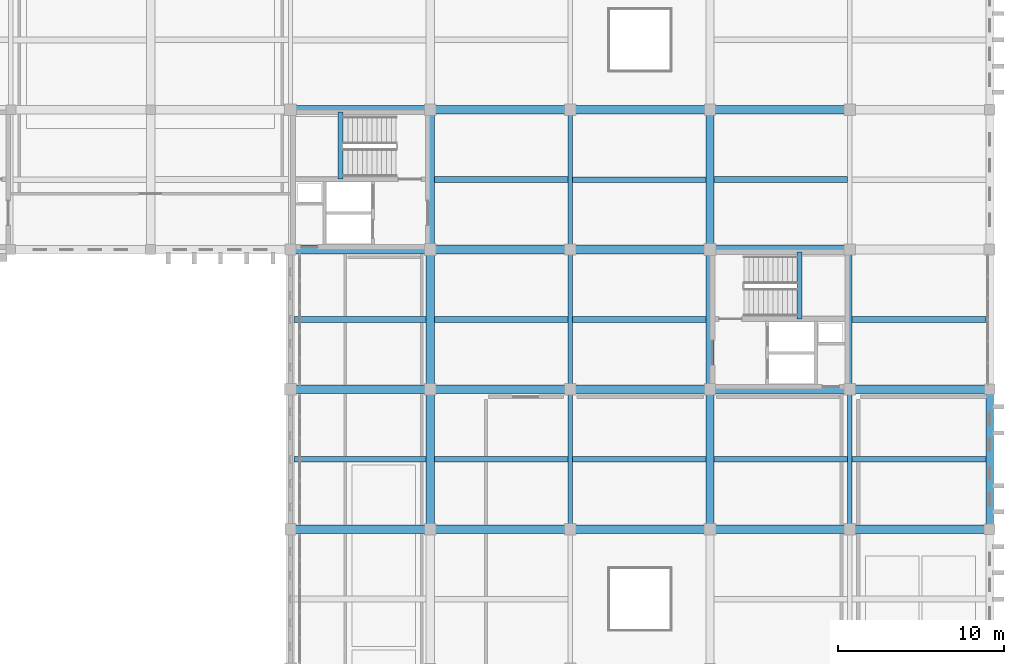
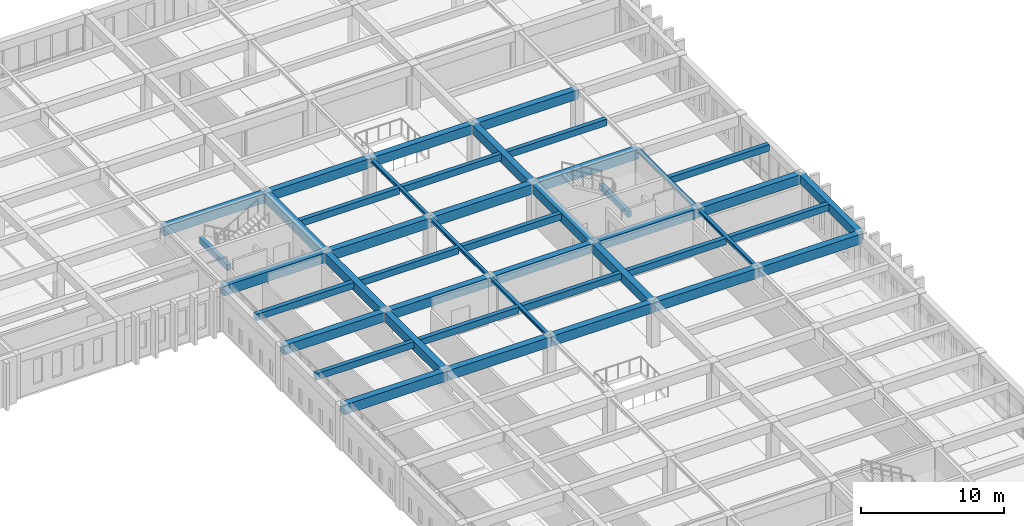
# One storey, part 49 of 110: 44 beams.
"""IFC4 building model written with IfcOpenShell, lengths in metres."""

from ifc_helpers import new_model, si_unit, direction, frame, origin, origin_2d, place, context, subcontext, project, spatial, rectangle, i_section, extrude, material, material_profile, profile_set, type_object, element, save


model = new_model("IFC4")

# Units and contexts
model_context = context("Model", 3, precision=1e-05, world=origin(), true_north=direction((0.0, 1.0)))
body_context = subcontext(model_context, "Body", "Model", "MODEL_VIEW")
ifc_project = project(units=[si_unit("LENGTHUNIT", "METRE"), si_unit("AREAUNIT", "SQUARE_METRE"), si_unit("VOLUMEUNIT", "CUBIC_METRE"), si_unit("PLANEANGLEUNIT", "RADIAN"), si_unit("MASSUNIT", "GRAM", prefix="KILO")], contexts=[model_context])

# Site, building, storey
site_placement = place(None, origin())
site = spatial("IfcSite", under=ifc_project, at=site_placement, CompositionType="ELEMENT")
building_placement = place(site_placement, origin())
building = spatial("IfcBuilding", under=site, at=building_placement, Name="Kveldsbrygga Polytechnic", CompositionType="ELEMENT")
storey_placement = place(building_placement, frame((0.0, 0.0, 9.860107421875)))
storey = spatial("IfcBuildingStorey", under=building, at=storey_placement, Name="L02", CompositionType="ELEMENT", Elevation=9.860107421875)

# Beams
ifc_material_1 = material(Name="Concrete C35/45", Category="concrete")
ifc_material_profile_1 = material_profile(ifc_material_1, rectangle(XDim=0.449951171875, YDim=0.75, at=origin_2d()), Name="RC 450x750")
ifc_profile_set_1 = profile_set([ifc_material_profile_1], Name="Concrete C35/45")
beam_type_1 = type_object("IfcBeamType", Name="BM-RC-450x750", PredefinedType="BEAM", material=ifc_profile_set_1)
beam_1_placement = place(storey_placement, frame((168.0, 67.199951171875, 3.375), z_axis=(0.0, 1.0, 0.0), x_axis=(-1.0, 0.0, 0.0)))
element("IfcBeam", 1, at=beam_1_placement, inside=storey, type_object=beam_type_1, Name="Primary Beam BMY-L02-20-08to09", PredefinedType="BEAM", context=body_context, shape_type="SweptSolid", body=[
    extrude(rectangle(XDim=0.449951171875, YDim=0.75, at=origin_2d()), origin(), (0.0, 0.0, 1.0), 8.400146484375),
])
ifc_material_profile_2 = material_profile(ifc_material_1, rectangle(XDim=0.5, YDim=0.800048828125, at=origin_2d()), Name="RC 500x800")
ifc_profile_set_2 = profile_set([ifc_material_profile_2], Name="Concrete C35/45")
beam_type_2 = type_object("IfcBeamType", Name="BM-RC-500x800", PredefinedType="BEAM", material=ifc_profile_set_2)
beam_2_placement = place(storey_placement, frame((126.0, 75.60009765625, 3.349853515625), z_axis=(1.0, 0.0, 0.0), x_axis=(0.0, 1.0, 0.0)))
element("IfcBeam", 2, at=beam_2_placement, inside=storey, type_object=beam_type_2, Name="Primary Beam BMX-L02-15to16-09", PredefinedType="BEAM", context=body_context, shape_type="SweptSolid", body=[
    extrude(rectangle(XDim=0.5, YDim=0.800048828125, at=origin_2d()), origin(), (0.0, 0.0, 1.0), 8.39990234375),
])
beam_3_placement = place(storey_placement, frame((134.39990234375, 75.60009765625, 3.349853515625), z_axis=(1.0, 0.0, 0.0), x_axis=(0.0, 1.0, 0.0)))
element("IfcBeam", 3, at=beam_3_placement, inside=storey, type_object=beam_type_2, Name="Primary Beam BMX-L02-16to17-09", PredefinedType="BEAM", context=body_context, shape_type="SweptSolid", body=[
    extrude(rectangle(XDim=0.5, YDim=0.800048828125, at=origin_2d()), origin(), (0.0, 0.0, 1.0), 8.400146484375),
])
beam_4_placement = place(storey_placement, frame((142.800048828125, 75.60009765625, 3.349853515625), z_axis=(1.0, 0.0, 0.0), x_axis=(0.0, 1.0, 0.0)))
element("IfcBeam", 4, at=beam_4_placement, inside=storey, type_object=beam_type_2, Name="Primary Beam BMX-L02-17to18-09", PredefinedType="BEAM", context=body_context, shape_type="SweptSolid", body=[
    extrude(rectangle(XDim=0.5, YDim=0.800048828125, at=origin_2d()), origin(), (0.0, 0.0, 1.0), 8.39990234375),
])
beam_5_placement = place(storey_placement, frame((151.199951171875, 75.60009765625, 3.349853515625), z_axis=(1.0, 0.0, 0.0), x_axis=(0.0, 1.0, 0.0)))
element("IfcBeam", 5, at=beam_5_placement, inside=storey, type_object=beam_type_2, Name="Primary Beam BMX-L02-18to19-09", PredefinedType="BEAM", context=body_context, shape_type="SweptSolid", body=[
    extrude(rectangle(XDim=0.5, YDim=0.800048828125, at=origin_2d()), origin(), (0.0, 0.0, 1.0), 8.400146484375),
])
for number, where, z_axis, x_axis, name in (
    (6, (159.60009765625, 75.60009765625, 3.349853515625), (1.0, 0.0, 0.0), (0.0, 1.0, 0.0), "Primary Beam BMX-L02-19to20-09"),
    (7, (126.0, 92.39990234375, 3.349853515625), (1.0, 0.0, 0.0), (0.0, 1.0, 0.0), "Primary Beam BMX-L02-15to16-11"),
):
    element("IfcBeam", number, at=place(storey_placement, frame(where, z_axis=z_axis, x_axis=x_axis)), inside=storey, type_object=beam_type_2, Name=name, PredefinedType="BEAM", context=body_context, shape_type="SweptSolid", body=[
        extrude(rectangle(XDim=0.5, YDim=0.800048828125, at=origin_2d()), origin(), (0.0, 0.0, 1.0), 8.39990234375),
    ])
beam_6_placement = place(storey_placement, frame((134.39990234375, 92.39990234375, 3.349853515625), z_axis=(1.0, 0.0, 0.0), x_axis=(0.0, 1.0, 0.0)))
element("IfcBeam", 8, at=beam_6_placement, inside=storey, type_object=beam_type_2, Name="Primary Beam BMX-L02-16to17-11", PredefinedType="BEAM", context=body_context, shape_type="SweptSolid", body=[
    extrude(rectangle(XDim=0.5, YDim=0.800048828125, at=origin_2d()), origin(), (0.0, 0.0, 1.0), 8.400146484375),
])
beam_7_placement = place(storey_placement, frame((142.800048828125, 92.39990234375, 3.349853515625), z_axis=(1.0, 0.0, 0.0), x_axis=(0.0, 1.0, 0.0)))
element("IfcBeam", 9, at=beam_7_placement, inside=storey, type_object=beam_type_2, Name="Primary Beam BMX-L02-17to18-11", PredefinedType="BEAM", context=body_context, shape_type="SweptSolid", body=[
    extrude(rectangle(XDim=0.5, YDim=0.800048828125, at=origin_2d()), origin(), (0.0, 0.0, 1.0), 8.39990234375),
])
for number, where, z_axis, x_axis, name in (
    (10, (151.199951171875, 92.39990234375, 3.349853515625), (1.0, 0.0, 0.0), (0.0, 1.0, 0.0), "Primary Beam BMX-L02-18to19-11"),
    (11, (134.39990234375, 67.199951171875, 3.349853515625), (0.0, 1.0, 0.0), (-1.0, 0.0, 0.0), "Primary Beam BMY-L02-16-08to09"),
):
    element("IfcBeam", number, at=place(storey_placement, frame(where, z_axis=z_axis, x_axis=x_axis)), inside=storey, type_object=beam_type_2, Name=name, PredefinedType="BEAM", context=body_context, shape_type="SweptSolid", body=[
        extrude(rectangle(XDim=0.5, YDim=0.800048828125, at=origin_2d()), origin(), (0.0, 0.0, 1.0), 8.400146484375),
    ])
for number, where, z_axis, x_axis, name in (
    (12, (134.39990234375, 75.60009765625, 3.349853515625), (0.0, 1.0, 0.0), (-1.0, 0.0, 0.0), "Primary Beam BMY-L02-16-09to10"),
    (13, (134.39990234375, 84.0, 3.349853515625), (0.0, 1.0, 0.0), (-1.0, 0.0, 0.0), "Primary Beam BMY-L02-16-10to11"),
):
    element("IfcBeam", number, at=place(storey_placement, frame(where, z_axis=z_axis, x_axis=x_axis)), inside=storey, type_object=beam_type_2, Name=name, PredefinedType="BEAM", context=body_context, shape_type="SweptSolid", body=[
        extrude(rectangle(XDim=0.5, YDim=0.800048828125, at=origin_2d()), origin(), (0.0, 0.0, 1.0), 8.39990234375),
    ])
beam_8_placement = place(storey_placement, frame((151.199951171875, 67.199951171875, 3.349853515625), z_axis=(0.0, 1.0, 0.0), x_axis=(-1.0, 0.0, 0.0)))
element("IfcBeam", 14, at=beam_8_placement, inside=storey, type_object=beam_type_2, Name="Primary Beam BMY-L02-18-08to09", PredefinedType="BEAM", context=body_context, shape_type="SweptSolid", body=[
    extrude(rectangle(XDim=0.5, YDim=0.800048828125, at=origin_2d()), origin(), (0.0, 0.0, 1.0), 8.400146484375),
])
for number, where, z_axis, x_axis, name in (
    (15, (151.199951171875, 75.60009765625, 3.349853515625), (0.0, 1.0, 0.0), (-1.0, 0.0, 0.0), "Primary Beam BMY-L02-18-09to10"),
    (16, (151.199951171875, 84.0, 3.349853515625), (0.0, 1.0, 0.0), (-1.0, 0.0, 0.0), "Primary Beam BMY-L02-18-10to11"),
):
    element("IfcBeam", number, at=place(storey_placement, frame(where, z_axis=z_axis, x_axis=x_axis)), inside=storey, type_object=beam_type_2, Name=name, PredefinedType="BEAM", context=body_context, shape_type="SweptSolid", body=[
        extrude(rectangle(XDim=0.5, YDim=0.800048828125, at=origin_2d()), origin(), (0.0, 0.0, 1.0), 8.39990234375),
    ])
ifc_material_profile_3 = material_profile(ifc_material_1, rectangle(XDim=0.52001953125, YDim=0.840087890625, at=origin_2d()), Name="RC 520x840")
ifc_profile_set_3 = profile_set([ifc_material_profile_3], Name="Concrete C35/45")
beam_type_3 = type_object("IfcBeamType", Name="BM-RC-520x840", PredefinedType="BEAM", material=ifc_profile_set_3)
beam_9_placement = place(storey_placement, frame((126.0, 67.199951171875, 3.329833984375), z_axis=(1.0, 0.0, 0.0), x_axis=(0.0, 1.0, 0.0)))
element("IfcBeam", 17, at=beam_9_placement, inside=storey, type_object=beam_type_3, Name="Primary Beam BMX-L02-15to16-08", PredefinedType="BEAM", context=body_context, shape_type="SweptSolid", body=[
    extrude(rectangle(XDim=0.52001953125, YDim=0.840087890625, at=origin_2d()), origin(), (0.0, 0.0, 1.0), 8.39990234375),
])
beam_10_placement = place(storey_placement, frame((134.39990234375, 67.199951171875, 3.329833984375), z_axis=(1.0, 0.0, 0.0), x_axis=(0.0, 1.0, 0.0)))
element("IfcBeam", 18, at=beam_10_placement, inside=storey, type_object=beam_type_3, Name="Primary Beam BMX-L02-16to17-08", PredefinedType="BEAM", context=body_context, shape_type="SweptSolid", body=[
    extrude(rectangle(XDim=0.52001953125, YDim=0.840087890625, at=origin_2d()), origin(), (0.0, 0.0, 1.0), 8.400146484375),
])
beam_11_placement = place(storey_placement, frame((142.800048828125, 67.199951171875, 3.329833984375), z_axis=(1.0, 0.0, 0.0), x_axis=(0.0, 1.0, 0.0)))
element("IfcBeam", 19, at=beam_11_placement, inside=storey, type_object=beam_type_3, Name="Primary Beam BMX-L02-17to18-08", PredefinedType="BEAM", context=body_context, shape_type="SweptSolid", body=[
    extrude(rectangle(XDim=0.52001953125, YDim=0.840087890625, at=origin_2d()), origin(), (0.0, 0.0, 1.0), 8.39990234375),
])
beam_12_placement = place(storey_placement, frame((151.199951171875, 67.199951171875, 3.329833984375), z_axis=(1.0, 0.0, 0.0), x_axis=(0.0, 1.0, 0.0)))
element("IfcBeam", 20, at=beam_12_placement, inside=storey, type_object=beam_type_3, Name="Primary Beam BMX-L02-18to19-08", PredefinedType="BEAM", context=body_context, shape_type="SweptSolid", body=[
    extrude(rectangle(XDim=0.52001953125, YDim=0.840087890625, at=origin_2d()), origin(), (0.0, 0.0, 1.0), 8.400146484375),
])
for number, where, z_axis, x_axis, name in (
    (21, (159.60009765625, 67.199951171875, 3.329833984375), (1.0, 0.0, 0.0), (0.0, 1.0, 0.0), "Primary Beam BMX-L02-19to20-08"),
    (22, (126.0, 84.0, 3.329833984375), (1.0, 0.0, 0.0), (0.0, 1.0, 0.0), "Primary Beam BMX-L02-15to16-10"),
):
    element("IfcBeam", number, at=place(storey_placement, frame(where, z_axis=z_axis, x_axis=x_axis)), inside=storey, type_object=beam_type_3, Name=name, PredefinedType="BEAM", context=body_context, shape_type="SweptSolid", body=[
        extrude(rectangle(XDim=0.52001953125, YDim=0.840087890625, at=origin_2d()), origin(), (0.0, 0.0, 1.0), 8.39990234375),
    ])
beam_13_placement = place(storey_placement, frame((134.39990234375, 84.0, 3.329833984375), z_axis=(1.0, 0.0, 0.0), x_axis=(0.0, 1.0, 0.0)))
element("IfcBeam", 23, at=beam_13_placement, inside=storey, type_object=beam_type_3, Name="Primary Beam BMX-L02-16to17-10", PredefinedType="BEAM", context=body_context, shape_type="SweptSolid", body=[
    extrude(rectangle(XDim=0.52001953125, YDim=0.840087890625, at=origin_2d()), origin(), (0.0, 0.0, 1.0), 8.400146484375),
])
beam_14_placement = place(storey_placement, frame((142.800048828125, 84.0, 3.329833984375), z_axis=(1.0, 0.0, 0.0), x_axis=(0.0, 1.0, 0.0)))
element("IfcBeam", 24, at=beam_14_placement, inside=storey, type_object=beam_type_3, Name="Primary Beam BMX-L02-17to18-10", PredefinedType="BEAM", context=body_context, shape_type="SweptSolid", body=[
    extrude(rectangle(XDim=0.52001953125, YDim=0.840087890625, at=origin_2d()), origin(), (0.0, 0.0, 1.0), 8.39990234375),
])
beam_15_placement = place(storey_placement, frame((151.199951171875, 84.0, 3.329833984375), z_axis=(1.0, 0.0, 0.0), x_axis=(0.0, 1.0, 0.0)))
element("IfcBeam", 25, at=beam_15_placement, inside=storey, type_object=beam_type_3, Name="Primary Beam BMX-L02-18to19-10", PredefinedType="BEAM", context=body_context, shape_type="SweptSolid", body=[
    extrude(rectangle(XDim=0.52001953125, YDim=0.840087890625, at=origin_2d()), origin(), (0.0, 0.0, 1.0), 8.400146484375),
])
ifc_material_2 = material(Name="Steel S355", Category="steel")
ifc_material_profile_4 = material_profile(ifc_material_2, i_section(OverallWidth=0.260009765625, OverallDepth=0.260009765625, WebThickness=0.010009765625, FlangeThickness=0.017578125, FilletRadius=0.02392578125, at=origin_2d()), Name="HEB 260")
ifc_profile_set_4 = profile_set([ifc_material_profile_4], Name="Steel S355")
beam_type_4 = type_object("IfcBeamType", Name="BM-STL-HEB260", PredefinedType="BEAM", material=ifc_profile_set_4)
beam_16_placement = place(storey_placement, frame((142.800048828125, 67.199951171875, 3.619873046875), z_axis=(0.0, 1.0, 0.0), x_axis=(-1.0, 0.0, 0.0)))
element("IfcBeam", 26, at=beam_16_placement, inside=storey, type_object=beam_type_4, Name="Primary Beam BMY-L02-17-08to09", PredefinedType="BEAM", context=body_context, shape_type="SweptSolid", body=[
    extrude(i_section(OverallWidth=0.260009765625, OverallDepth=0.260009765625, WebThickness=0.010009765625, FlangeThickness=0.017578125, FilletRadius=0.02392578125, at=origin_2d()), origin(), (0.0, 0.0, 1.0), 8.400146484375),
])
for number, where, z_axis, x_axis, name in (
    (27, (142.800048828125, 75.60009765625, 3.619873046875), (0.0, 1.0, 0.0), (-1.0, 0.0, 0.0), "Primary Beam BMY-L02-17-09to10"),
    (28, (142.800048828125, 84.0, 3.619873046875), (0.0, 1.0, 0.0), (-1.0, 0.0, 0.0), "Primary Beam BMY-L02-17-10to11"),
):
    element("IfcBeam", number, at=place(storey_placement, frame(where, z_axis=z_axis, x_axis=x_axis)), inside=storey, type_object=beam_type_4, Name=name, PredefinedType="BEAM", context=body_context, shape_type="SweptSolid", body=[
        extrude(i_section(OverallWidth=0.260009765625, OverallDepth=0.260009765625, WebThickness=0.010009765625, FlangeThickness=0.017578125, FilletRadius=0.02392578125, at=origin_2d()), origin(), (0.0, 0.0, 1.0), 8.39990234375),
    ])
beam_17_placement = place(storey_placement, frame((159.60009765625, 67.199951171875, 3.619873046875), z_axis=(0.0, 1.0, 0.0), x_axis=(-1.0, 0.0, 0.0)))
element("IfcBeam", 29, at=beam_17_placement, inside=storey, type_object=beam_type_4, Name="Primary Beam BMY-L02-19-08to09", PredefinedType="BEAM", context=body_context, shape_type="SweptSolid", body=[
    extrude(i_section(OverallWidth=0.260009765625, OverallDepth=0.260009765625, WebThickness=0.010009765625, FlangeThickness=0.017578125, FilletRadius=0.02392578125, at=origin_2d()), origin(), (0.0, 0.0, 1.0), 8.400146484375),
])
beam_18_placement = place(storey_placement, frame((159.60009765625, 75.60009765625, 3.619873046875), z_axis=(0.0, 1.0, 0.0), x_axis=(-1.0, 0.0, 0.0)))
element("IfcBeam", 30, at=beam_18_placement, inside=storey, type_object=beam_type_4, Name="Primary Beam BMY-L02-19-09to10", PredefinedType="BEAM", context=body_context, shape_type="SweptSolid", body=[
    extrude(i_section(OverallWidth=0.260009765625, OverallDepth=0.260009765625, WebThickness=0.010009765625, FlangeThickness=0.017578125, FilletRadius=0.02392578125, at=origin_2d()), origin(), (0.0, 0.0, 1.0), 8.39990234375),
])
ifc_material_profile_5 = material_profile(ifc_material_1, rectangle(XDim=0.340087890625, YDim=0.56005859375, at=origin_2d()), Name="RC 340x560")
ifc_profile_set_5 = profile_set([ifc_material_profile_5], Name="Concrete C35/45")
beam_type_5 = type_object("IfcBeamType", Name="JST-RC-340x560", PredefinedType="JOIST", material=ifc_profile_set_5)
beam_19_placement = place(storey_placement, frame((126.22509765625, 71.39990234375, 3.469970703125), z_axis=(1.0, 0.0, 0.0), x_axis=(0.0, 1.0, 0.0)))
element("IfcBeam", 31, at=beam_19_placement, inside=storey, type_object=beam_type_5, Name="Secondary Joist JST-L02-15-08", PredefinedType="JOIST", context=body_context, shape_type="SweptSolid", body=[
    extrude(rectangle(XDim=0.340087890625, YDim=0.56005859375, at=origin_2d()), origin(), (0.0, 0.0, 1.0), 7.9248046875),
])
for number, where, z_axis, x_axis, name in (
    (32, (134.64990234375, 79.800048828125, 3.469970703125), (1.0, 0.0, 0.0), (0.0, 1.0, 0.0), "Secondary Joist JST-L02-16-09"),
    (33, (142.929931640625, 71.39990234375, 3.469970703125), (1.0, 0.0, 0.0), (0.0, 1.0, 0.0), "Secondary Joist JST-L02-17-08"),
    (34, (142.929931640625, 88.199951171875, 3.469970703125), (1.0, 0.0, 0.0), (0.0, 1.0, 0.0), "Secondary Joist JST-L02-17-10"),
):
    element("IfcBeam", number, at=place(storey_placement, frame(where, z_axis=z_axis, x_axis=x_axis)), inside=storey, type_object=beam_type_5, Name=name, PredefinedType="JOIST", context=body_context, shape_type="SweptSolid", body=[
        extrude(rectangle(XDim=0.340087890625, YDim=0.56005859375, at=origin_2d()), origin(), (0.0, 0.0, 1.0), 8.02001953125),
    ])
beam_20_placement = place(storey_placement, frame((159.72998046875, 71.39990234375, 3.469970703125), z_axis=(1.0, 0.0, 0.0), x_axis=(0.0, 1.0, 0.0)))
element("IfcBeam", 35, at=beam_20_placement, inside=storey, type_object=beam_type_5, Name="Secondary Joist JST-L02-19-08", PredefinedType="JOIST", context=body_context, shape_type="SweptSolid", body=[
    extrude(rectangle(XDim=0.340087890625, YDim=0.56005859375, at=origin_2d()), origin(), (0.0, 0.0, 1.0), 8.044921875),
])
ifc_material_profile_6 = material_profile(ifc_material_1, rectangle(XDim=0.35009765625, YDim=0.550048828125, at=origin_2d()), Name="RC 350x550")
ifc_profile_set_6 = profile_set([ifc_material_profile_6], Name="Concrete C35/45")
beam_type_6 = type_object("IfcBeamType", Name="JST-RC-350x550", PredefinedType="JOIST", material=ifc_profile_set_6)
beam_21_placement = place(storey_placement, frame((126.22509765625, 79.800048828125, 3.474853515625), z_axis=(1.0, 0.0, 0.0), x_axis=(0.0, 1.0, 0.0)))
element("IfcBeam", 36, at=beam_21_placement, inside=storey, type_object=beam_type_6, Name="Secondary Joist JST-L02-15-09", PredefinedType="JOIST", context=body_context, shape_type="SweptSolid", body=[
    extrude(rectangle(XDim=0.35009765625, YDim=0.550048828125, at=origin_2d()), origin(), (0.0, 0.0, 1.0), 7.9248046875),
])
for number, where, z_axis, x_axis, name in (
    (37, (134.64990234375, 71.39990234375, 3.474853515625), (1.0, 0.0, 0.0), (0.0, 1.0, 0.0), "Secondary Joist JST-L02-16-08"),
    (38, (134.64990234375, 88.199951171875, 3.474853515625), (1.0, 0.0, 0.0), (0.0, 1.0, 0.0), "Secondary Joist JST-L02-16-10"),
    (39, (142.929931640625, 79.800048828125, 3.474853515625), (1.0, 0.0, 0.0), (0.0, 1.0, 0.0), "Secondary Joist JST-L02-17-09"),
    (40, (151.449951171875, 71.39990234375, 3.474853515625), (1.0, 0.0, 0.0), (0.0, 1.0, 0.0), "Secondary Joist JST-L02-18-08"),
    (41, (151.449951171875, 88.199951171875, 3.474853515625), (1.0, 0.0, 0.0), (0.0, 1.0, 0.0), "Secondary Joist JST-L02-18-10"),
):
    element("IfcBeam", number, at=place(storey_placement, frame(where, z_axis=z_axis, x_axis=x_axis)), inside=storey, type_object=beam_type_6, Name=name, PredefinedType="JOIST", context=body_context, shape_type="SweptSolid", body=[
        extrude(rectangle(XDim=0.35009765625, YDim=0.550048828125, at=origin_2d()), origin(), (0.0, 0.0, 1.0), 8.02001953125),
    ])
beam_22_placement = place(storey_placement, frame((159.72998046875, 79.800048828125, 3.474853515625), z_axis=(1.0, 0.0, 0.0), x_axis=(0.0, 1.0, 0.0)))
element("IfcBeam", 42, at=beam_22_placement, inside=storey, type_object=beam_type_6, Name="Secondary Joist JST-L02-19-09", PredefinedType="JOIST", context=body_context, shape_type="SweptSolid", body=[
    extrude(rectangle(XDim=0.35009765625, YDim=0.550048828125, at=origin_2d()), origin(), (0.0, 0.0, 1.0), 8.044921875),
])
ifc_material_profile_7 = material_profile(ifc_material_1, rectangle(XDim=0.300048828125, YDim=0.5, at=origin_2d()), Name="RC 300x500")
ifc_profile_set_7 = profile_set([ifc_material_profile_7], Name="Concrete C35/45")
beam_type_7 = type_object("IfcBeamType", Name="LNT-RC-300x500", PredefinedType="LINTEL", material=ifc_profile_set_7)
for number, where, z_axis, x_axis, name in (
    (43, (129.010009765625, 88.22998046875, 1.58984375), (0.0, 1.0, 0.0), (-1.0, 0.0, 0.0), "Stair Landing Support Beam C2-L02-LNDB-1-1"),
    (44, (156.590087890625, 79.830078125, 1.58984375), (0.0, 1.0, 0.0), (-1.0, 0.0, 0.0), "Stair Landing Support Beam C4-L02-LNDB-1-1"),
):
    element("IfcBeam", number, at=place(storey_placement, frame(where, z_axis=z_axis, x_axis=x_axis)), inside=storey, type_object=beam_type_7, Name=name, PredefinedType="LINTEL", context=body_context, shape_type="SweptSolid", body=[
        extrude(rectangle(XDim=0.300048828125, YDim=0.5, at=origin_2d()), origin(), (0.0, 0.0, 1.0), 4.02001953125),
    ])

save(model, "model.ifc")
